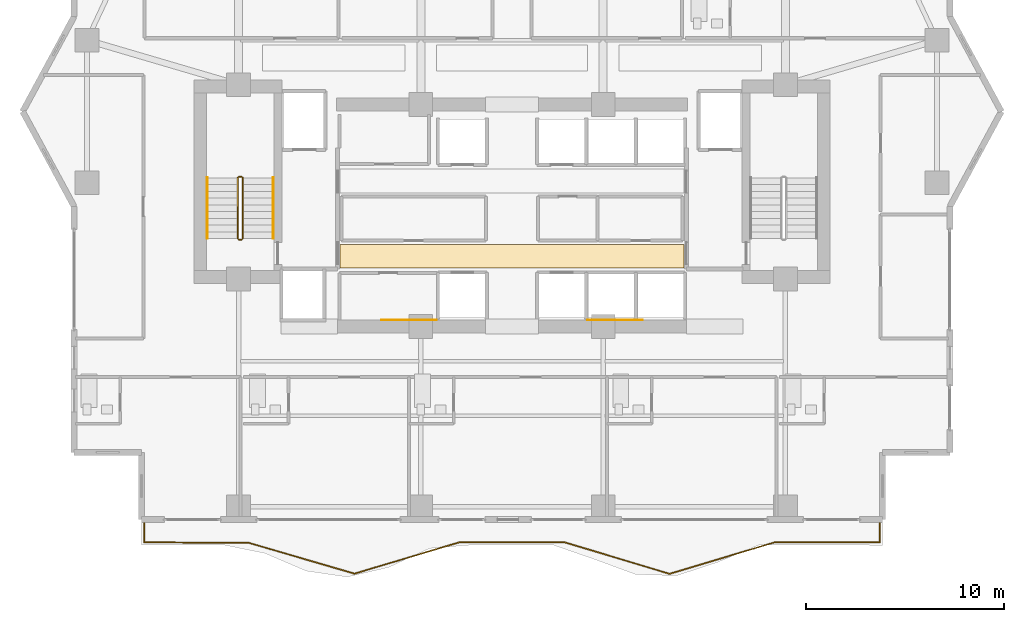
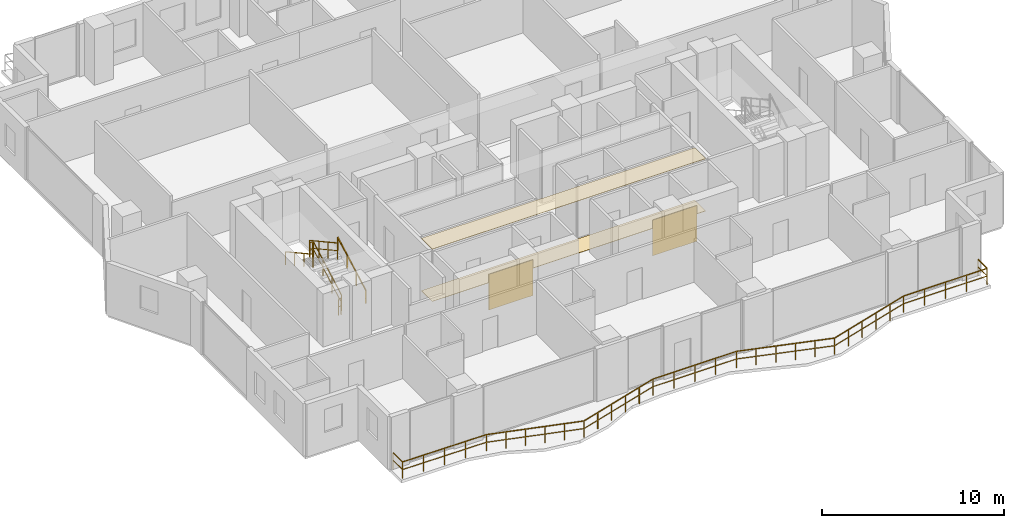
# One storey, part 29 of 32: 7 railings, 4 coverings.
"""IFC4 building model written with IfcOpenShell, lengths in metres."""

from ifc_helpers import new_model, si_unit, direction, frame, origin, origin_2d, place, context, subcontext, project, spatial, polyline, rectangle, outline, extrude, material, layer, layer_set, type_object, element, save


model = new_model("IFC4")

# Units and contexts
model_context = context("Model", 3, precision=1e-05, world=origin(), true_north=direction((0.0, 1.0)))
body_context = subcontext(model_context, "Body", "Model", "MODEL_VIEW")
ifc_project = project(units=[si_unit("LENGTHUNIT", "METRE"), si_unit("AREAUNIT", "SQUARE_METRE"), si_unit("VOLUMEUNIT", "CUBIC_METRE"), si_unit("PLANEANGLEUNIT", "RADIAN"), si_unit("MASSUNIT", "GRAM", prefix="KILO")], contexts=[model_context])

# Site, building, storey
site_placement = place(None, origin())
site = spatial("IfcSite", under=ifc_project, at=site_placement, CompositionType="ELEMENT")
building_placement = place(site_placement, origin())
building = spatial("IfcBuilding", under=site, at=building_placement, Name="Zuhayl Quay Hotel", CompositionType="ELEMENT")
storey_placement = place(building_placement, frame((0.0, 0.0, 184.89990234375)))
storey = spatial("IfcBuildingStorey", under=building, at=storey_placement, Name="L46", CompositionType="ELEMENT", Elevation=184.89990234375)

# Coverings
ifc_material_1 = material(Name="Acoustic Mineral-Fibre Gypsum Board")
ifc_layer_1 = layer(ifc_material_1, 0.02490234375, Name="Acoustic Mineral-Fibre Gypsum Board")
ifc_layer_set_1 = layer_set([ifc_layer_1], Name="Acoustic Mineral-Fibre Gypsum Board")
covering_type_1 = type_object("IfcCoveringType", Name="CV_CEIL_ACOUSTIC", PredefinedType="CEILING", material=ifc_layer_set_1)
covering_1_placement = place(storey_placement, frame((0.0, 0.0, 3.505126953125)))
element("IfcCovering", 1, at=covering_1_placement, inside=storey, type_object=covering_type_1, Name="L46 Suspended Acoustic Lobby Ceiling S", PredefinedType="CEILING", context=body_context, shape_type="SweptSolid", body=[
    extrude(outline(polyline([(-8.679931640625, 5.10009765625), (8.679931640625, 5.10009765625), (8.679931640625, 6.300048828125), (-8.679931640625, 6.300048828125), (-8.679931640625, 5.10009765625)])), origin(), (0.0, 0.0, 1.0), 0.02490234375),
])
ifc_material_2 = material(Name="Polished Limestone Terrazzo", Category="masonry")
ifc_layer_2 = layer(ifc_material_2, 0.02001953125, Name="Polished Limestone Terrazzo", Category="masonry")
ifc_layer_set_2 = layer_set([ifc_layer_2], Name="Polished Limestone Terrazzo")
covering_type_2 = type_object("IfcCoveringType", Name="CV_FLOOR_TERRAZZO", PredefinedType="FLOORING", material=ifc_layer_set_2)
covering_2_placement = place(storey_placement, origin())
element("IfcCovering", 2, at=covering_2_placement, inside=storey, type_object=covering_type_2, Name="L46 Honed Limestone Terrazzo Lobby Flooring S", PredefinedType="FLOORING", context=body_context, shape_type="SweptSolid", body=[
    extrude(outline(polyline([(-8.679931640625, 5.10009765625), (8.679931640625, 5.10009765625), (8.679931640625, 6.300048828125), (-8.679931640625, 6.300048828125), (-8.679931640625, 5.10009765625)])), origin(), (0.0, 0.0, 1.0), 0.02001953125),
])
ifc_material_3 = material(Name="Acoustic Walnut Feature Timber", Category="wood")
ifc_layer_3 = layer(ifc_material_3, 0.02197265625, Name="Acoustic Walnut Feature Timber", Category="wood")
ifc_layer_set_3 = layer_set([ifc_layer_3], Name="Acoustic Walnut Feature Timber")
covering_type_3 = type_object("IfcCoveringType", Name="CV_WALL_CLAD", PredefinedType="CLADDING", material=ifc_layer_set_3)
for number, where, z_axis, x_axis, name in (
    (3, (-5.199951171875, 2.486083984375, 0.300048828125), (0.0, 0.0, 1.0), (1.0, 0.0, 0.0), "L46 Feature Lobby Walnut Wall Cladding W"),
    (4, (5.199951171875, 2.486083984375, 0.300048828125), (0.0, 0.0, 1.0), (1.0, 0.0, 0.0), "L46 Feature Lobby Walnut Wall Cladding E"),
):
    element("IfcCovering", number, at=place(storey_placement, frame(where, z_axis=z_axis, x_axis=x_axis)), inside=storey, type_object=covering_type_3, Name=name, PredefinedType="CLADDING", context=body_context, shape_type="SweptSolid", body=[
        extrude(rectangle(XDim=2.800048828125, YDim=0.02197265625, at=origin_2d()), origin(), (0.0, 0.0, 1.0), 2.39990234375),
    ])

# Railings
ifc_material_4 = material(Name="Anodised Aluminium and Laminated Glass", Category="aluminium")
railing_type_1 = type_object("IfcRailingType", Name="RL_EXT_BAL_1100", PredefinedType="BALUSTRADE", material=ifc_material_4)
railing_1_placement = place(storey_placement, frame((-18.56005859375, -7.719970703125, 0.0)))
element("IfcRailing", 5, at=railing_1_placement, inside=storey, type_object=railing_type_1, Name="L46 Balcony and Terrace Guard GR_L46_BAL_S", PredefinedType="BALUSTRADE", context=body_context, shape_type="SweptSolid", body=[
    extrude(rectangle(XDim=0.048095703125, YDim=0.048095703125, at=origin_2d()), frame((0.0, 0.0, 1.09619140625), z_axis=(0.0, -1.0, 0.0), x_axis=(1.0, 0.0, 0.0)), (0.0, 0.0, 1.0), 1.02001953125),
    extrude(rectangle(XDim=0.0361328125, YDim=0.0361328125, at=origin_2d()), frame((0.0, 0.0, 0.58251953125), z_axis=(0.0, -1.0, 0.0), x_axis=(1.0, 0.0, 0.0)), (0.0, 0.0, 1.0), 1.02001953125),
    extrude(rectangle(XDim=0.048095703125, YDim=0.048095703125, at=origin_2d()), frame((0.0, -1.02001953125, 1.09619140625), z_axis=(0.999978025397, -0.006629383346, 0.0), x_axis=(0.006629383346, 0.999978025397, 0.0)), (0.0, 0.0, 1.0), 5.302978515625),
    extrude(rectangle(XDim=0.0361328125, YDim=0.0361328125, at=origin_2d()), frame((0.0, -1.02001953125, 0.58251953125), z_axis=(0.999978025397, -0.006629383346, 0.0), x_axis=(0.006629383346, 0.999978025397, 0.0)), (0.0, 0.0, 1.0), 5.302978515625),
    extrude(rectangle(XDim=0.048095703125, YDim=0.048095703125, at=origin_2d()), frame((5.302978515625, -1.05517578125, 1.09619140625), z_axis=(0.959893015966, -0.280366542048, 0.0), x_axis=(0.280366542048, 0.959893015966, 0.0)), (0.0, 0.0, 1.0), 5.5244140625),
    extrude(rectangle(XDim=0.0361328125, YDim=0.0361328125, at=origin_2d()), frame((5.302978515625, -1.05517578125, 0.58251953125), z_axis=(0.959893015966, -0.280366542048, 0.0), x_axis=(0.280366542048, 0.959893015966, 0.0)), (0.0, 0.0, 1.0), 5.5244140625),
    extrude(rectangle(XDim=0.048095703125, YDim=0.048095703125, at=origin_2d()), frame((10.605712890625, -2.60400390625, 1.09619140625), z_axis=(0.958169192902, 0.286202372061, 0.0), x_axis=(-0.286202372061, 0.958169192902, 0.0)), (0.0, 0.0, 1.0), 5.534423828125),
    extrude(rectangle(XDim=0.0361328125, YDim=0.0361328125, at=origin_2d()), frame((10.605712890625, -2.60400390625, 0.58251953125), z_axis=(0.958169192902, 0.286202372061, 0.0), x_axis=(-0.286202372061, 0.958169192902, 0.0)), (0.0, 0.0, 1.0), 5.534423828125),
    extrude(rectangle(XDim=0.048095703125, YDim=0.048095703125, at=origin_2d()), frame((15.90869140625, -1.02001953125, 1.09619140625), z_axis=(1.0, 0.0, 0.0), x_axis=(0.0, 1.0, 0.0)), (0.0, 0.0, 1.0), 5.302734375),
    extrude(rectangle(XDim=0.0361328125, YDim=0.0361328125, at=origin_2d()), frame((15.90869140625, -1.02001953125, 0.58251953125), z_axis=(1.0, 0.0, 0.0), x_axis=(0.0, 1.0, 0.0)), (0.0, 0.0, 1.0), 5.302734375),
    extrude(rectangle(XDim=0.048095703125, YDim=0.048095703125, at=origin_2d()), frame((21.21142578125, -1.02001953125, 1.09619140625), z_axis=(0.957672035815, -0.287861549737, 0.0), x_axis=(0.287861549737, 0.957672035815, 0.0)), (0.0, 0.0, 1.0), 5.537353515625),
    extrude(rectangle(XDim=0.0361328125, YDim=0.0361328125, at=origin_2d()), frame((21.21142578125, -1.02001953125, 0.58251953125), z_axis=(0.957672035815, -0.287861549737, 0.0), x_axis=(0.287861549737, 0.957672035815, 0.0)), (0.0, 0.0, 1.0), 5.537353515625),
    extrude(rectangle(XDim=0.048095703125, YDim=0.048095703125, at=origin_2d()), frame((26.514404296875, -2.614013671875, 1.09619140625), z_axis=(0.957668382124, 0.287873704737, 0.0), x_axis=(-0.287873704737, 0.957668382124, 0.0)), (0.0, 0.0, 1.0), 5.537109375),
    extrude(rectangle(XDim=0.0361328125, YDim=0.0361328125, at=origin_2d()), frame((26.514404296875, -2.614013671875, 0.58251953125), z_axis=(0.957668382124, 0.287873704737, 0.0), x_axis=(-0.287873704737, 0.957668382124, 0.0)), (0.0, 0.0, 1.0), 5.537109375),
    extrude(rectangle(XDim=0.048095703125, YDim=0.048095703125, at=origin_2d()), frame((31.817138671875, -1.02001953125, 1.09619140625), z_axis=(1.0, 0.0, 0.0), x_axis=(0.0, 1.0, 0.0)), (0.0, 0.0, 1.0), 5.302978515625),
    extrude(rectangle(XDim=0.0361328125, YDim=0.0361328125, at=origin_2d()), frame((31.817138671875, -1.02001953125, 0.58251953125), z_axis=(1.0, 0.0, 0.0), x_axis=(0.0, 1.0, 0.0)), (0.0, 0.0, 1.0), 5.302978515625),
    extrude(rectangle(XDim=0.048095703125, YDim=0.048095703125, at=origin_2d()), frame((37.1201171875, -1.02001953125, 1.09619140625), z_axis=(0.0, 1.0, 0.0), x_axis=(-1.0, 0.0, 0.0)), (0.0, 0.0, 1.0), 1.02001953125),
    extrude(rectangle(XDim=0.0361328125, YDim=0.0361328125, at=origin_2d()), frame((37.1201171875, -1.02001953125, 0.58251953125), z_axis=(0.0, 1.0, 0.0), x_axis=(-1.0, 0.0, 0.0)), (0.0, 0.0, 1.0), 1.02001953125),
    extrude(rectangle(XDim=0.0419921875, YDim=0.0419921875, at=origin_2d()), origin(), (0.0, 0.0, 1.0), 1.072021484375),
    extrude(rectangle(XDim=0.0419921875, YDim=0.0419921875, at=origin_2d()), frame((0.0, -1.02001953125, 0.0)), (0.0, 0.0, 1.0), 1.072021484375),
    extrude(rectangle(XDim=0.0419921875, YDim=0.0419921875, at=origin_2d()), frame((1.32568359375, -1.02880859375, 0.0)), (0.0, 0.0, 1.0), 1.072021484375),
    extrude(rectangle(XDim=0.0419921875, YDim=0.0419921875, at=origin_2d()), frame((2.6513671875, -1.03759765625, 0.0)), (0.0, 0.0, 1.0), 1.072021484375),
    extrude(rectangle(XDim=0.0419921875, YDim=0.0419921875, at=origin_2d()), frame((3.977294921875, -1.04638671875, 0.0)), (0.0, 0.0, 1.0), 1.072021484375),
    extrude(rectangle(XDim=0.0419921875, YDim=0.0419921875, at=origin_2d()), frame((5.302978515625, -1.05517578125, 0.0)), (0.0, 0.0, 1.0), 1.072021484375),
    extrude(rectangle(XDim=0.0419921875, YDim=0.0419921875, at=origin_2d()), frame((6.363525390625, -1.364990234375, 0.0)), (0.0, 0.0, 1.0), 1.072021484375),
    extrude(rectangle(XDim=0.0419921875, YDim=0.0419921875, at=origin_2d()), frame((7.424072265625, -1.6748046875, 0.0)), (0.0, 0.0, 1.0), 1.072021484375),
    extrude(rectangle(XDim=0.0419921875, YDim=0.0419921875, at=origin_2d()), frame((8.484619140625, -1.984375, 0.0)), (0.0, 0.0, 1.0), 1.072021484375),
    extrude(rectangle(XDim=0.0419921875, YDim=0.0419921875, at=origin_2d()), frame((9.545166015625, -2.294189453125, 0.0)), (0.0, 0.0, 1.0), 1.072021484375),
    extrude(rectangle(XDim=0.0419921875, YDim=0.0419921875, at=origin_2d()), frame((10.605712890625, -2.60400390625, 0.0)), (0.0, 0.0, 1.0), 1.072021484375),
    extrude(rectangle(XDim=0.0419921875, YDim=0.0419921875, at=origin_2d()), frame((11.666259765625, -2.287109375, 0.0)), (0.0, 0.0, 1.0), 1.072021484375),
    extrude(rectangle(XDim=0.0419921875, YDim=0.0419921875, at=origin_2d()), frame((12.726806640625, -1.970458984375, 0.0)), (0.0, 0.0, 1.0), 1.072021484375),
    extrude(rectangle(XDim=0.0419921875, YDim=0.0419921875, at=origin_2d()), frame((13.78759765625, -1.653564453125, 0.0)), (0.0, 0.0, 1.0), 1.072021484375),
    extrude(rectangle(XDim=0.0419921875, YDim=0.0419921875, at=origin_2d()), frame((14.84814453125, -1.3369140625, 0.0)), (0.0, 0.0, 1.0), 1.072021484375),
    extrude(rectangle(XDim=0.0419921875, YDim=0.0419921875, at=origin_2d()), frame((15.90869140625, -1.02001953125, 0.0)), (0.0, 0.0, 1.0), 1.072021484375),
    extrude(rectangle(XDim=0.0419921875, YDim=0.0419921875, at=origin_2d()), frame((17.234375, -1.02001953125, 0.0)), (0.0, 0.0, 1.0), 1.072021484375),
    extrude(rectangle(XDim=0.0419921875, YDim=0.0419921875, at=origin_2d()), frame((18.56005859375, -1.02001953125, 0.0)), (0.0, 0.0, 1.0), 1.072021484375),
    extrude(rectangle(XDim=0.0419921875, YDim=0.0419921875, at=origin_2d()), frame((19.8857421875, -1.02001953125, 0.0)), (0.0, 0.0, 1.0), 1.072021484375),
    extrude(rectangle(XDim=0.0419921875, YDim=0.0419921875, at=origin_2d()), frame((21.21142578125, -1.02001953125, 0.0)), (0.0, 0.0, 1.0), 1.072021484375),
    extrude(rectangle(XDim=0.0419921875, YDim=0.0419921875, at=origin_2d()), frame((22.27197265625, -1.3388671875, 0.0)), (0.0, 0.0, 1.0), 1.072021484375),
    extrude(rectangle(XDim=0.0419921875, YDim=0.0419921875, at=origin_2d()), frame((23.33251953125, -1.65771484375, 0.0)), (0.0, 0.0, 1.0), 1.072021484375),
    extrude(rectangle(XDim=0.0419921875, YDim=0.0419921875, at=origin_2d()), frame((24.393310546875, -1.976318359375, 0.0)), (0.0, 0.0, 1.0), 1.072021484375),
    extrude(rectangle(XDim=0.0419921875, YDim=0.0419921875, at=origin_2d()), frame((25.453857421875, -2.295166015625, 0.0)), (0.0, 0.0, 1.0), 1.072021484375),
    extrude(rectangle(XDim=0.0419921875, YDim=0.0419921875, at=origin_2d()), frame((26.514404296875, -2.614013671875, 0.0)), (0.0, 0.0, 1.0), 1.072021484375),
    extrude(rectangle(XDim=0.0419921875, YDim=0.0419921875, at=origin_2d()), frame((27.574951171875, -2.295166015625, 0.0)), (0.0, 0.0, 1.0), 1.072021484375),
    extrude(rectangle(XDim=0.0419921875, YDim=0.0419921875, at=origin_2d()), frame((28.635498046875, -1.976318359375, 0.0)), (0.0, 0.0, 1.0), 1.072021484375),
    extrude(rectangle(XDim=0.0419921875, YDim=0.0419921875, at=origin_2d()), frame((29.696044921875, -1.65771484375, 0.0)), (0.0, 0.0, 1.0), 1.072021484375),
    extrude(rectangle(XDim=0.0419921875, YDim=0.0419921875, at=origin_2d()), frame((30.756591796875, -1.3388671875, 0.0)), (0.0, 0.0, 1.0), 1.072021484375),
    extrude(rectangle(XDim=0.0419921875, YDim=0.0419921875, at=origin_2d()), frame((31.817138671875, -1.02001953125, 0.0)), (0.0, 0.0, 1.0), 1.072021484375),
    extrude(rectangle(XDim=0.0419921875, YDim=0.0419921875, at=origin_2d()), frame((33.142822265625, -1.02001953125, 0.0)), (0.0, 0.0, 1.0), 1.072021484375),
    extrude(rectangle(XDim=0.0419921875, YDim=0.0419921875, at=origin_2d()), frame((34.46875, -1.02001953125, 0.0)), (0.0, 0.0, 1.0), 1.072021484375),
    extrude(rectangle(XDim=0.0419921875, YDim=0.0419921875, at=origin_2d()), frame((35.79443359375, -1.02001953125, 0.0)), (0.0, 0.0, 1.0), 1.072021484375),
    extrude(rectangle(XDim=0.0419921875, YDim=0.0419921875, at=origin_2d()), frame((37.1201171875, -1.02001953125, 0.0)), (0.0, 0.0, 1.0), 1.072021484375),
    extrude(rectangle(XDim=0.0419921875, YDim=0.0419921875, at=origin_2d()), frame((37.1201171875, 0.0, 0.0)), (0.0, 0.0, 1.0), 1.072021484375),
])
ifc_material_5 = material(Name="Steel ASTM A992 Grade 50", Category="steel")
railing_type_2 = type_object("IfcRailingType", Name="RL_GUARD_1100", PredefinedType="GUARDRAIL", material=ifc_material_5)
railing_2_placement = place(storey_placement, frame((-13.590087890625, 6.590087890625, 0.1875)))
element("IfcRailing", 6, at=railing_2_placement, inside=storey, type_object=railing_type_2, Name="L46 ST1 stair guard 1", PredefinedType="GUARDRAIL", context=body_context, shape_type="SweptSolid", body=[
    extrude(rectangle(XDim=0.048095703125, YDim=0.048095703125, at=origin_2d()), frame((0.0, 0.0, 1.09619140625), z_axis=(0.0, 0.875659195171, 0.482929574485), x_axis=(-1.0, 0.0, 0.0)), (0.0, 0.0, 1.0), 3.494384765625),
    extrude(rectangle(XDim=0.0361328125, YDim=0.0361328125, at=origin_2d()), frame((0.0, 0.0, 0.58251953125), z_axis=(0.0, 0.875659195171, 0.482929574485), x_axis=(-1.0, 0.0, 0.0)), (0.0, 0.0, 1.0), 3.494384765625),
    extrude(rectangle(XDim=0.0419921875, YDim=0.0419921875, at=origin_2d()), origin(), (0.0, 0.0, 1.0), 1.072021484375),
    extrude(rectangle(XDim=0.0419921875, YDim=0.0419921875, at=origin_2d()), frame((0.0, 1.02001953125, 0.5625)), (0.0, 0.0, 1.0), 1.072021484375),
    extrude(rectangle(XDim=0.0419921875, YDim=0.0419921875, at=origin_2d()), frame((0.0, 2.039794921875, 1.125)), (0.0, 0.0, 1.0), 1.072021484375),
    extrude(rectangle(XDim=0.0419921875, YDim=0.0419921875, at=origin_2d()), frame((0.0, 3.059814453125, 1.6875)), (0.0, 0.0, 1.0), 1.072021484375),
])
railing_3_placement = place(storey_placement, frame((-13.639892578125, 9.699951171875, 1.875)))
element("IfcRailing", 7, at=railing_3_placement, inside=storey, type_object=railing_type_2, Name="L46 ST1 stair guard 2", PredefinedType="GUARDRAIL", context=body_context, shape_type="SweptSolid", body=[
    extrude(rectangle(XDim=0.048095703125, YDim=0.048095703125, at=origin_2d()), frame((0.0, 0.0, 1.09619140625), z_axis=(-1.0, 0.0, 0.0), x_axis=(0.0, -1.0, 0.0)), (0.0, 0.0, 1.0), 0.150146484375),
    extrude(rectangle(XDim=0.0361328125, YDim=0.0361328125, at=origin_2d()), frame((0.0, 0.0, 0.58251953125), z_axis=(-1.0, 0.0, 0.0), x_axis=(0.0, -1.0, 0.0)), (0.0, 0.0, 1.0), 0.150146484375),
    extrude(rectangle(XDim=0.0419921875, YDim=0.0419921875, at=origin_2d()), origin(), (0.0, 0.0, 1.0), 1.072021484375),
    extrude(rectangle(XDim=0.0419921875, YDim=0.0419921875, at=origin_2d()), frame((-0.150146484375, 0.0, 0.0)), (0.0, 0.0, 1.0), 1.072021484375),
])
railing_4_placement = place(storey_placement, frame((-13.840087890625, 9.64990234375, 2.0625)))
element("IfcRailing", 8, at=railing_4_placement, inside=storey, type_object=railing_type_2, Name="L46 ST1 stair guard 3", PredefinedType="GUARDRAIL", context=body_context, shape_type="SweptSolid", body=[
    extrude(rectangle(XDim=0.048095703125, YDim=0.048095703125, at=origin_2d()), frame((0.0, 0.0, 1.09619140625), z_axis=(0.0, -0.875659195171, 0.482929574485), x_axis=(1.0, 0.0, 0.0)), (0.0, 0.0, 1.0), 3.494384765625),
    extrude(rectangle(XDim=0.0361328125, YDim=0.0361328125, at=origin_2d()), frame((0.0, 0.0, 0.58251953125), z_axis=(0.0, -0.875659195171, 0.482929574485), x_axis=(1.0, 0.0, 0.0)), (0.0, 0.0, 1.0), 3.494384765625),
    extrude(rectangle(XDim=0.0419921875, YDim=0.0419921875, at=origin_2d()), origin(), (0.0, 0.0, 1.0), 1.072021484375),
    extrude(rectangle(XDim=0.0419921875, YDim=0.0419921875, at=origin_2d()), frame((0.0, -1.02001953125, 0.5625)), (0.0, 0.0, 1.0), 1.072021484375),
    extrude(rectangle(XDim=0.0419921875, YDim=0.0419921875, at=origin_2d()), frame((0.0, -2.039794921875, 1.125)), (0.0, 0.0, 1.0), 1.072021484375),
    extrude(rectangle(XDim=0.0419921875, YDim=0.0419921875, at=origin_2d()), frame((0.0, -3.059814453125, 1.6875)), (0.0, 0.0, 1.0), 1.072021484375),
])
railing_5_placement = place(storey_placement, frame((-13.639892578125, 6.5400390625, 0.0)))
element("IfcRailing", 9, at=railing_5_placement, inside=storey, type_object=railing_type_2, Name="L46 ST1 stair guard 4", PredefinedType="GUARDRAIL", context=body_context, shape_type="SweptSolid", body=[
    extrude(rectangle(XDim=0.048095703125, YDim=0.048095703125, at=origin_2d()), frame((0.0, 0.0, 1.09619140625), z_axis=(-1.0, 0.0, 0.0), x_axis=(0.0, -1.0, 0.0)), (0.0, 0.0, 1.0), 0.150146484375),
    extrude(rectangle(XDim=0.0361328125, YDim=0.0361328125, at=origin_2d()), frame((0.0, 0.0, 0.58251953125), z_axis=(-1.0, 0.0, 0.0), x_axis=(0.0, -1.0, 0.0)), (0.0, 0.0, 1.0), 0.150146484375),
    extrude(rectangle(XDim=0.0419921875, YDim=0.0419921875, at=origin_2d()), origin(), (0.0, 0.0, 1.0), 1.072021484375),
    extrude(rectangle(XDim=0.0419921875, YDim=0.0419921875, at=origin_2d()), frame((-0.150146484375, 0.0, 0.0)), (0.0, 0.0, 1.0), 1.072021484375),
])
railing_type_3 = type_object("IfcRailingType", Name="RL_HANDRAIL_920", PredefinedType="HANDRAIL", material=ifc_material_5)
railing_6_placement = place(storey_placement, frame((-12.050048828125, 6.590087890625, 0.1875)))
element("IfcRailing", 10, at=railing_6_placement, inside=storey, type_object=railing_type_3, Name="L46 ST1 stair handrail 1", PredefinedType="HANDRAIL", context=body_context, shape_type="SweptSolid", body=[
    extrude(rectangle(XDim=0.048095703125, YDim=0.048095703125, at=origin_2d()), frame((0.0, 0.0, 0.8759765625), z_axis=(0.0, 0.875659195171, 0.482929574485), x_axis=(-1.0, 0.0, 0.0)), (0.0, 0.0, 1.0), 3.494384765625),
    extrude(rectangle(XDim=0.0419921875, YDim=0.0419921875, at=origin_2d()), origin(), (0.0, 0.0, 1.0), 0.851806640625),
    extrude(rectangle(XDim=0.0419921875, YDim=0.0419921875, at=origin_2d()), frame((0.0, 1.02001953125, 0.5625)), (0.0, 0.0, 1.0), 0.851806640625),
    extrude(rectangle(XDim=0.0419921875, YDim=0.0419921875, at=origin_2d()), frame((0.0, 2.039794921875, 1.125)), (0.0, 0.0, 1.0), 0.851806640625),
    extrude(rectangle(XDim=0.0419921875, YDim=0.0419921875, at=origin_2d()), frame((0.0, 3.059814453125, 1.6875)), (0.0, 0.0, 1.0), 0.851806640625),
])
railing_7_placement = place(storey_placement, frame((-15.3798828125, 9.64990234375, 2.0625)))
element("IfcRailing", 11, at=railing_7_placement, inside=storey, type_object=railing_type_3, Name="L46 ST1 stair handrail 2", PredefinedType="HANDRAIL", context=body_context, shape_type="SweptSolid", body=[
    extrude(rectangle(XDim=0.048095703125, YDim=0.048095703125, at=origin_2d()), frame((0.0, 0.0, 0.8759765625), z_axis=(0.0, -0.875659195171, 0.482929574485), x_axis=(1.0, 0.0, 0.0)), (0.0, 0.0, 1.0), 3.494384765625),
    extrude(rectangle(XDim=0.0419921875, YDim=0.0419921875, at=origin_2d()), origin(), (0.0, 0.0, 1.0), 0.851806640625),
    extrude(rectangle(XDim=0.0419921875, YDim=0.0419921875, at=origin_2d()), frame((0.0, -1.02001953125, 0.5625)), (0.0, 0.0, 1.0), 0.851806640625),
    extrude(rectangle(XDim=0.0419921875, YDim=0.0419921875, at=origin_2d()), frame((0.0, -2.039794921875, 1.125)), (0.0, 0.0, 1.0), 0.851806640625),
    extrude(rectangle(XDim=0.0419921875, YDim=0.0419921875, at=origin_2d()), frame((0.0, -3.059814453125, 1.6875)), (0.0, 0.0, 1.0), 0.851806640625),
])

save(model, "model.ifc")
